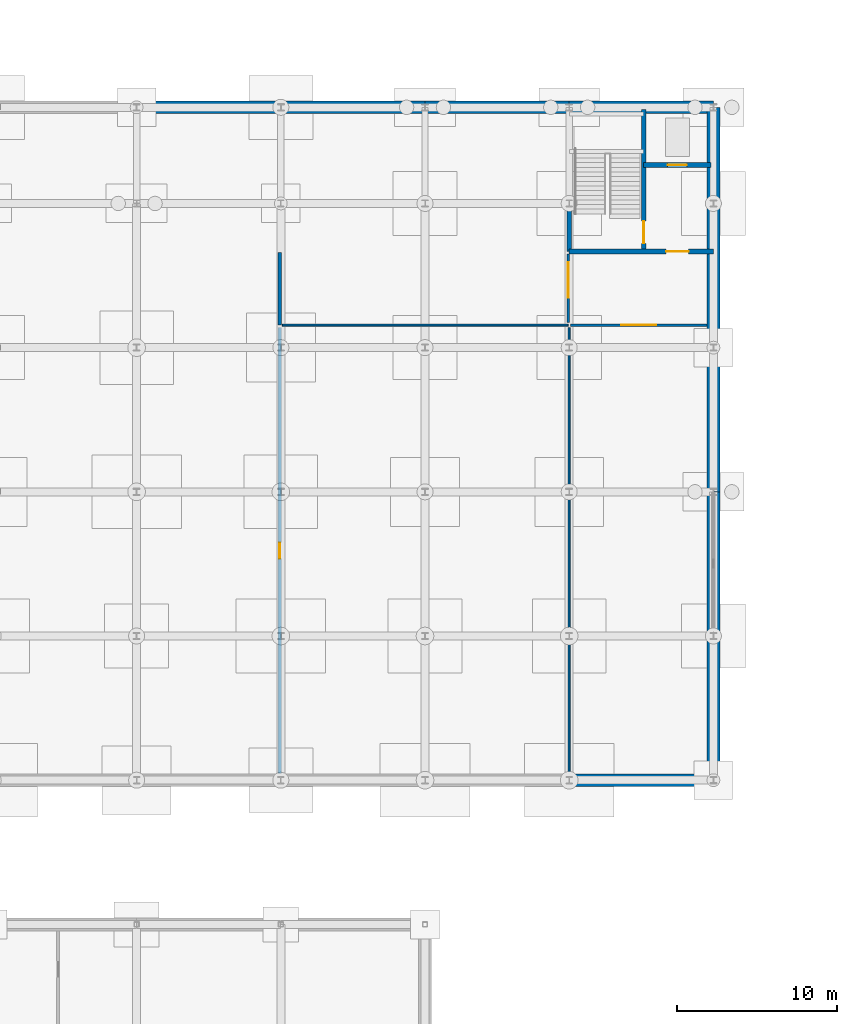
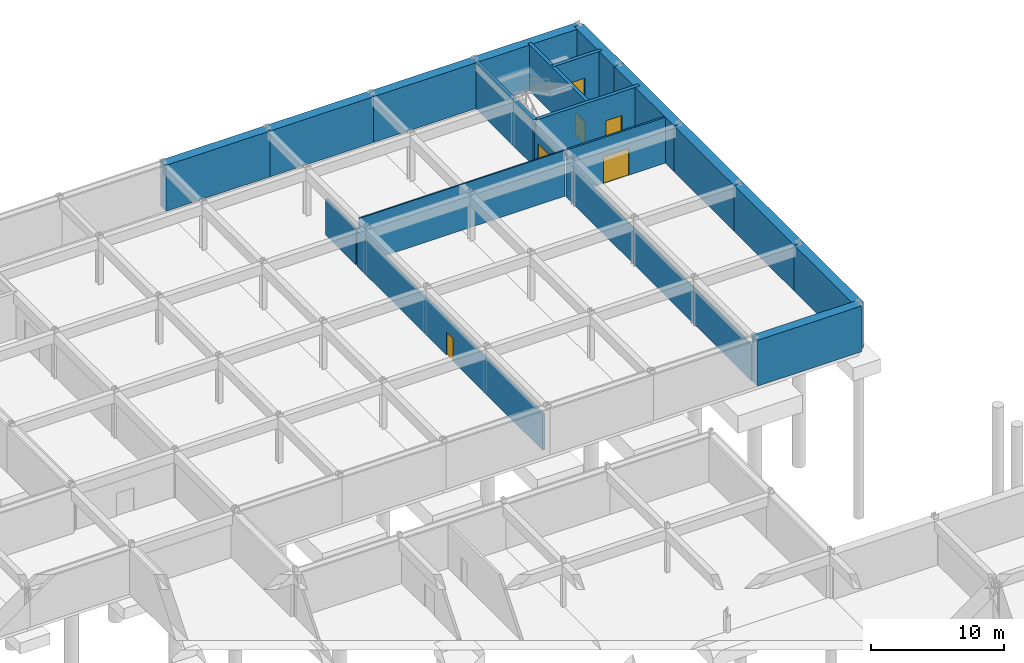
# One storey, part 31 of 41: 20 walls, 6 doors, 6 openings.
"""IFC4 building model written with IfcOpenShell, lengths in metres."""

from ifc_helpers import new_model, si_unit, direction, frame, frame_2d, origin, place, context, subcontext, project, spatial, rectangle, extrude, material, layer, layer_set, type_object, element, fill, save


model = new_model("IFC4")

# Units and contexts
model_context = context("Model", 3, precision=1e-05, world=origin(), true_north=direction((0.0, 1.0)))
body_context = subcontext(model_context, "Body", "Model", "MODEL_VIEW")
ifc_project = project(units=[si_unit("LENGTHUNIT", "METRE"), si_unit("AREAUNIT", "SQUARE_METRE"), si_unit("VOLUMEUNIT", "CUBIC_METRE"), si_unit("PLANEANGLEUNIT", "RADIAN"), si_unit("MASSUNIT", "GRAM", prefix="KILO")], contexts=[model_context])

# Site, building, storey
site_placement = place(None, origin())
site = spatial("IfcSite", under=ifc_project, at=site_placement, CompositionType="ELEMENT")
building_placement = place(site_placement, origin())
building = spatial("IfcBuilding", under=site, at=building_placement, Name="Palais des Congres Ocreval", CompositionType="ELEMENT")
storey_placement = place(building_placement, frame((0.0, 0.0, -8.9599609375)))
storey = spatial("IfcBuildingStorey", under=building, at=storey_placement, Name="B2", CompositionType="ELEMENT", Elevation=-8.9599609375)

# Wall
ifc_material_1 = material(Name="Gypsum acoustic fire board")
ifc_layer_1 = layer(ifc_material_1, 0.199951171875)
ifc_layer_set_1 = layer_set([ifc_layer_1], Name="Compartment Fire Partition 200 Gypsum (Gypsum acoustic fire board)")
wall_type_1 = type_object("IfcWallType", Name="Compartment Fire Partition 200 Gypsum", PredefinedType="PARTITIONING", material=ifc_layer_set_1)
wall_1_placement = place(storey_placement, frame((134.93505859375, 100.419921875, 0.0), z_axis=(0.0, 0.0, 1.0), x_axis=(0.0, 1.0, 0.0)))
element("IfcWall", 1, at=wall_1_placement, inside=storey, type_object=wall_type_1, Name="Interior Partition IW01 B2", PredefinedType="PARTITIONING", context=body_context, shape_type="SweptSolid", body=[
    extrude(rectangle(XDim=4.510009765625, YDim=0.199951171875, at=frame_2d((2.2548828125, 0.0))), origin(), (0.0, 0.0, 1.0), 3.300048828125),
])

# Wall, opening, door
wall_2_placement = place(storey_placement, frame((134.93505859375, 72.405029296875, 0.0), z_axis=(0.0, 0.0, 1.0), x_axis=(0.0, 1.0, 0.0)))
wall_2 = element("IfcWall", 2, at=wall_2_placement, inside=storey, type_object=wall_type_1, Name="Interior Partition IW01 B2", PredefinedType="PARTITIONING", context=body_context, shape_type="SweptSolid", body=[
    extrude(rectangle(XDim=27.849853515625, YDim=0.199951171875, at=frame_2d((13.9248046875, 0.0))), origin(), (0.0, 0.0, 1.0), 3.300048828125),
])
opening_1_placement = place(wall_2_placement, frame((13.425048828125, 0.0, 0.0)))
opening_1 = element("IfcOpeningElement", 3, at=opening_1_placement, cuts=wall_2, Name="Opening D10", PredefinedType="OPENING", context=body_context, shape_type="SweptSolid", body=[
    extrude(rectangle(XDim=1.0, YDim=2.10009765625, at=frame_2d((0.5, 1.050048828125))), frame((0.0, 0.10986328125, 0.0), z_axis=(0.0, -1.0, 0.0), x_axis=(1.0, 0.0, 0.0)), (0.0, 0.0, 1.0), 0.219970703125),
])
ifc_material_2 = material(Name="Painted steel", Category="steel")
door_type_1 = type_object("IfcDoorType", Name="Service and Pantry Door 1000x2100", OperationType="NOTDEFINED", PredefinedType="DOOR", material=ifc_material_2)
door_1_placement = place(opening_1_placement, origin())
door_1 = element("IfcDoor", 4, at=door_1_placement, inside=storey, type_object=door_type_1, Name="Interior Door D10 B2", OperationType="SINGLE_SWING_LEFT", OverallHeight=2.10009765625, OverallWidth=1.0, PredefinedType="DOOR", context=body_context, shape_type="SweptSolid", body=[
    extrude(rectangle(XDim=1.0, YDim=2.10009765625, at=frame_2d((0.5, 1.050048828125))), frame((0.0, 0.02490234375, 0.0), z_axis=(0.0, -1.0, 0.0), x_axis=(1.0, 0.0, 0.0)), (0.0, 0.0, 1.0), 0.050048828125),
])
fill(opening_1, door_1)

ifc_material_3 = material(Name="Concrete C40/50", Category="concrete")
ifc_layer_2 = layer(ifc_material_3, 0.300048828125)
ifc_layer_set_2 = layer_set([ifc_layer_2], Name="Core Shear Wall 300 Concrete C40/50")
wall_type_2 = type_object("IfcWallType", Name="Core Shear Wall 300 Concrete C40/50", PredefinedType="SHEAR", material=ifc_layer_set_2)
wall_3_placement = place(storey_placement, frame((153.0, 105.0, 0.0), z_axis=(0.0, 0.0, 1.0), x_axis=(1.0, 0.0, 0.0)))
wall_3 = element("IfcWall", 5, at=wall_3_placement, inside=storey, type_object=wall_type_2, Name="Core Shear Wall SC08 B2 S", PredefinedType="SHEAR", context=body_context, shape_type="SweptSolid", body=[
    extrude(rectangle(XDim=9.0, YDim=0.300048828125, at=frame_2d((4.5, 0.0))), origin(), (0.0, 0.0, 1.0), 4.199951171875),
])
opening_2_placement = place(wall_3_placement, frame((6.050048828125, 0.0, 0.0)))
opening_2 = element("IfcOpeningElement", 6, at=opening_2_placement, cuts=wall_3, Name="Opening D03", PredefinedType="OPENING", context=body_context, shape_type="SweptSolid", body=[
    extrude(rectangle(XDim=1.39990234375, YDim=2.02001953125, at=frame_2d((0.699951171875, 1.010009765625))), frame((0.0, 0.159912109375, 0.0), z_axis=(0.0, -1.0, 0.0), x_axis=(1.0, 0.0, 0.0)), (0.0, 0.0, 1.0), 0.320068359375),
])
ifc_material_4 = material(Name="Painted fire-rated steel", Category="steel")
door_type_2 = type_object("IfcDoorType", Name="Core Lobby Rated Door 1400x2020", OperationType="NOTDEFINED", PredefinedType="DOOR", material=ifc_material_4)
door_2_placement = place(opening_2_placement, origin())
door_2 = element("IfcDoor", 7, at=door_2_placement, inside=storey, type_object=door_type_2, Name="Lobby Entrance Door SC08 B2", OperationType="DOUBLE_DOOR_SINGLE_SWING", OverallHeight=2.02001953125, OverallWidth=1.39990234375, PredefinedType="DOOR", context=body_context, shape_type="SweptSolid", body=[
    extrude(rectangle(XDim=1.39990234375, YDim=2.02001953125, at=frame_2d((0.699951171875, 1.010009765625))), frame((0.0, 0.02490234375, 0.0), z_axis=(0.0, -1.0, 0.0), x_axis=(1.0, 0.0, 0.0)), (0.0, 0.0, 1.0), 0.050048828125),
])
fill(opening_2, door_2)

# Wall
wall_4_placement = place(storey_placement, frame((153.0, 105.0, 0.0), z_axis=(0.0, 0.0, 1.0), x_axis=(0.0, 1.0, 0.0)))
element("IfcWall", 8, at=wall_4_placement, inside=storey, type_object=wall_type_2, Name="Core Shear Wall SC08 B2 W", PredefinedType="SHEAR", context=body_context, shape_type="SweptSolid", body=[
    extrude(rectangle(XDim=9.0, YDim=0.300048828125, at=frame_2d((4.5, 0.0))), origin(), (0.0, 0.0, 1.0), 4.199951171875),
])

# Wall, opening, door
wall_5_placement = place(storey_placement, frame((157.64990234375, 105.14990234375, 0.0), z_axis=(0.0, 0.0, 1.0), x_axis=(0.0, 1.0, 0.0)))
wall_5 = element("IfcWall", 9, at=wall_5_placement, inside=storey, type_object=wall_type_2, Name="Core Spine Shear Wall SC08 B2", PredefinedType="SHEAR", context=body_context, shape_type="SweptSolid", body=[
    extrude(rectangle(XDim=8.7001953125, YDim=0.300048828125, at=frame_2d((4.35009765625, 0.0))), origin(), (0.0, 0.0, 1.0), 4.199951171875),
])
opening_3_placement = place(wall_5_placement, frame((0.35009765625, 0.0, 0.0)))
opening_3 = element("IfcOpeningElement", 10, at=opening_3_placement, cuts=wall_5, Name="Opening D03", PredefinedType="OPENING", context=body_context, shape_type="SweptSolid", body=[
    extrude(rectangle(XDim=1.39990234375, YDim=2.02001953125, at=frame_2d((0.699951171875, 1.010009765625))), frame((0.0, 0.159912109375, 0.0), z_axis=(0.0, -1.0, 0.0), x_axis=(1.0, 0.0, 0.0)), (0.0, 0.0, 1.0), 0.320068359375),
])
door_3_placement = place(opening_3_placement, origin())
door_3 = element("IfcDoor", 11, at=door_3_placement, inside=storey, type_object=door_type_2, Name="Protected Exit Stair Door ST08 B2", OperationType="SINGLE_SWING_RIGHT", OverallHeight=2.02001953125, OverallWidth=1.39990234375, PredefinedType="DOOR", context=body_context, shape_type="SweptSolid", body=[
    extrude(rectangle(XDim=1.39990234375, YDim=2.02001953125, at=frame_2d((0.699951171875, 1.010009765625))), frame((0.0, 0.02490234375, 0.0), z_axis=(0.0, -1.0, 0.0), x_axis=(1.0, 0.0, 0.0)), (0.0, 0.0, 1.0), 0.050048828125),
])
fill(opening_3, door_3)

wall_6_placement = place(storey_placement, frame((157.64990234375, 110.39990234375, 0.0), z_axis=(0.0, 0.0, 1.0), x_axis=(1.0, 0.0, 0.0)))
wall_6 = element("IfcWall", 12, at=wall_6_placement, inside=storey, type_object=wall_type_2, Name="Lift Shaft Front Wall SC08 B2", PredefinedType="SHEAR", context=body_context, shape_type="SweptSolid", body=[
    extrude(rectangle(XDim=4.2001953125, YDim=0.300048828125, at=frame_2d((2.10009765625, 0.0))), origin(), (0.0, 0.0, 1.0), 4.199951171875),
])
opening_4_placement = place(wall_6_placement, frame((1.5, 0.0, 0.0)))
opening_4 = element("IfcOpeningElement", 13, at=opening_4_placement, cuts=wall_6, Name="Opening LD02", PredefinedType="OPENING", context=body_context, shape_type="SweptSolid", body=[
    extrude(rectangle(XDim=1.199951171875, YDim=2.199951171875, at=frame_2d((0.60009765625, 1.10009765625))), frame((0.0, 0.159912109375, 0.0), z_axis=(0.0, -1.0, 0.0), x_axis=(1.0, 0.0, 0.0)), (0.0, 0.0, 1.0), 0.320068359375),
])
ifc_material_5 = material(Name="Anodized bronze steel", Category="steel")
door_type_3 = type_object("IfcDoorType", Name="Passenger and Service Lift Sliding Door 1200x2200", OperationType="NOTDEFINED", PredefinedType="DOOR", material=ifc_material_5)
door_4_placement = place(opening_4_placement, origin())
door_4 = element("IfcDoor", 14, at=door_4_placement, inside=storey, type_object=door_type_3, Name="Lift Landing Sliding Door BL3 B2", OperationType="DOUBLE_DOOR_SLIDING", OverallHeight=2.199951171875, OverallWidth=1.199951171875, PredefinedType="DOOR", context=body_context, shape_type="SweptSolid", body=[
    extrude(rectangle(XDim=1.199951171875, YDim=2.199951171875, at=frame_2d((0.60009765625, 1.10009765625))), frame((0.0, 0.02490234375, 0.0), z_axis=(0.0, -1.0, 0.0), x_axis=(1.0, 0.0, 0.0)), (0.0, 0.0, 1.0), 0.050048828125),
])
fill(opening_4, door_4)

ifc_material_6 = material(Name="Gypsum acoustic partition")
ifc_layer_3 = layer(ifc_material_6, 0.159912109375)
ifc_layer_set_3 = layer_set([ifc_layer_3], Name="Corridor Fire Partition 160 Gypsum (Gypsum acoustic partition)")
wall_type_3 = type_object("IfcWallType", Name="Corridor Fire Partition 160 Gypsum", PredefinedType="PARTITIONING", material=ifc_layer_set_3)
wall_7_placement = place(storey_placement, frame((152.93505859375, 100.56494140625, 0.0), z_axis=(0.0, 0.0, 1.0), x_axis=(0.0, 1.0, 0.0)))
wall_7 = element("IfcWall", 15, at=wall_7_placement, inside=storey, type_object=wall_type_3, Name="Interior Partition IW03 B2", PredefinedType="PARTITIONING", context=body_context, shape_type="SweptSolid", body=[
    extrude(rectangle(XDim=4.280029296875, YDim=0.159912109375, at=frame_2d((2.14013671875, 0.0))), origin(), (0.0, 0.0, 1.0), 3.300048828125),
])
opening_5_placement = place(wall_7_placement, frame((1.5537109375, 0.0, 0.0)))
opening_5 = element("IfcOpeningElement", 16, at=opening_5_placement, cuts=wall_7, Name="Opening D14", PredefinedType="OPENING", context=body_context, shape_type="SweptSolid", body=[
    extrude(rectangle(XDim=2.199951171875, YDim=2.449951171875, at=frame_2d((1.10009765625, 1.22509765625))), frame((0.0, 0.08984375, 0.0), z_axis=(0.0, -1.0, 0.0), x_axis=(1.0, 0.0, 0.0)), (0.0, 0.0, 1.0), 0.179931640625),
])
ifc_material_7 = material(Name="Acoustic oak and bronze", Category="wood")
door_type_4 = type_object("IfcDoorType", Name="Grand Ballroom Acoustic Double Door 2200x2450", OperationType="NOTDEFINED", PredefinedType="DOOR", material=ifc_material_7)
door_5_placement = place(opening_5_placement, origin())
door_5 = element("IfcDoor", 17, at=door_5_placement, inside=storey, type_object=door_type_4, Name="Interior Door D14 B2", OperationType="DOUBLE_DOOR_SINGLE_SWING", OverallHeight=2.449951171875, OverallWidth=2.199951171875, PredefinedType="DOOR", context=body_context, shape_type="SweptSolid", body=[
    extrude(rectangle(XDim=2.199951171875, YDim=2.449951171875, at=frame_2d((1.10009765625, 1.22509765625))), frame((0.0, 0.02490234375, 0.0), z_axis=(0.0, -1.0, 0.0), x_axis=(1.0, 0.0, 0.0)), (0.0, 0.0, 1.0), 0.050048828125),
])
fill(opening_5, door_5)

wall_8_placement = place(storey_placement, frame((153.090087890625, 100.409912109375, 0.0), z_axis=(0.0, 0.0, 1.0), x_axis=(1.0, 0.0, 0.0)))
wall_8 = element("IfcWall", 18, at=wall_8_placement, inside=storey, type_object=wall_type_3, Name="Interior Partition IW03 B2", PredefinedType="PARTITIONING", context=body_context, shape_type="SweptSolid", body=[
    extrude(rectangle(XDim=8.5048828125, YDim=0.159912109375, at=frame_2d((4.25244140625, 0.0))), origin(), (0.0, 0.0, 1.0), 4.199951171875),
])
opening_6_placement = place(wall_8_placement, frame((3.152587890625, 0.0, 0.0)))
opening_6 = element("IfcOpeningElement", 19, at=opening_6_placement, cuts=wall_8, Name="Opening D14", PredefinedType="OPENING", context=body_context, shape_type="SweptSolid", body=[
    extrude(rectangle(XDim=2.199951171875, YDim=2.449951171875, at=frame_2d((1.10009765625, 1.22509765625))), frame((0.0, 0.08984375, 0.0), z_axis=(0.0, -1.0, 0.0), x_axis=(1.0, 0.0, 0.0)), (0.0, 0.0, 1.0), 0.179931640625),
])
door_6_placement = place(opening_6_placement, origin())
door_6 = element("IfcDoor", 20, at=door_6_placement, inside=storey, type_object=door_type_4, Name="Interior Door D14 B2", OperationType="DOUBLE_DOOR_SINGLE_SWING", OverallHeight=2.449951171875, OverallWidth=2.199951171875, PredefinedType="DOOR", context=body_context, shape_type="SweptSolid", body=[
    extrude(rectangle(XDim=2.199951171875, YDim=2.449951171875, at=frame_2d((1.10009765625, 1.22509765625))), frame((0.0, 0.02490234375, 0.0), z_axis=(0.0, -1.0, 0.0), x_axis=(1.0, 0.0, 0.0)), (0.0, 0.0, 1.0), 0.050048828125),
])
fill(opening_6, door_6)

# Walls
ifc_material_8 = material(Name="Concrete C35/45", Category="concrete")
ifc_layer_4 = layer(ifc_material_8, 0.800048828125)
ifc_layer_set_4 = layer_set([ifc_layer_4], Name="Retaining Diaphragm Wall 800 Concrete C35/45")
wall_type_4 = type_object("IfcWallType", Name="Retaining Diaphragm Wall 800 Concrete C35/45", PredefinedType="USERDEFINED", material=ifc_layer_set_4)
for number, where, z_axis, x_axis, name in (
    (21, (126.0, 114.0, 0.0), (0.0, 0.0, 1.0), (1.0, 0.0, 0.0), "Basement Diaphragm Wall RW01 B2"),
    (22, (135.0, 114.0, 0.0), (0.0, 0.0, 1.0), (1.0, 0.0, 0.0), "Basement Diaphragm Wall RW01 B2"),
    (23, (144.0, 114.0, 0.0), (0.0, 0.0, 1.0), (1.0, 0.0, 0.0), "Basement Diaphragm Wall RW01 B2"),
    (24, (153.0, 114.0, 0.0), (0.0, 0.0, 1.0), (1.0, 0.0, 0.0), "Basement Diaphragm Wall RW01 B2"),
):
    element("IfcWall", number, at=place(storey_placement, frame(where, z_axis=z_axis, x_axis=x_axis)), inside=storey, type_object=wall_type_4, Name=name, ObjectType="RETAININGWALL", PredefinedType="USERDEFINED", context=body_context, shape_type="SweptSolid", body=[
        extrude(rectangle(XDim=9.0, YDim=0.800048828125, at=frame_2d((4.5, 0.0))), origin(), (0.0, 0.0, 1.0), 4.199951171875),
    ])
wall_9_placement = place(storey_placement, frame((162.0, 114.0, 0.0), z_axis=(0.0, 0.0, 1.0), x_axis=(0.0, -1.0, 0.0)))
element("IfcWall", 25, at=wall_9_placement, inside=storey, type_object=wall_type_4, Name="Basement Diaphragm Wall RW01 B2", ObjectType="RETAININGWALL", PredefinedType="USERDEFINED", context=body_context, shape_type="SweptSolid", body=[
    extrude(rectangle(XDim=6.0, YDim=0.800048828125, at=frame_2d((3.0, 0.0))), origin(), (0.0, 0.0, 1.0), 4.199951171875),
])
for number, where, z_axis, x_axis, name in (
    (26, (162.0, 108.0, 0.0), (0.0, 0.0, 1.0), (0.0, -1.0, 0.0), "Basement Diaphragm Wall RW01 B2"),
    (27, (162.0, 99.0, 0.0), (0.0, 0.0, 1.0), (0.0, -1.0, 0.0), "Basement Diaphragm Wall RW01 B2"),
    (28, (162.0, 90.0, 0.0), (0.0, 0.0, 1.0), (0.0, -1.0, 0.0), "Basement Diaphragm Wall RW01 B2"),
    (29, (162.0, 81.0, 0.0), (0.0, 0.0, 1.0), (0.0, -1.0, 0.0), "Basement Diaphragm Wall RW01 B2"),
    (30, (162.0, 72.0, 0.0), (0.0, 0.0, 1.0), (-1.0, 0.0, 0.0), "Basement Diaphragm Wall RW01 B2"),
):
    element("IfcWall", number, at=place(storey_placement, frame(where, z_axis=z_axis, x_axis=x_axis)), inside=storey, type_object=wall_type_4, Name=name, ObjectType="RETAININGWALL", PredefinedType="USERDEFINED", context=body_context, shape_type="SweptSolid", body=[
        extrude(rectangle(XDim=9.0, YDim=0.800048828125, at=frame_2d((4.5, 0.0))), origin(), (0.0, 0.0, 1.0), 4.199951171875),
    ])
ifc_material_9 = material(Name="Gypsum board partition")
ifc_layer_5 = layer(ifc_material_9, 0.1201171875)
ifc_layer_set_5 = layer_set([ifc_layer_5], Name="Suite Subdivision Partition 120 Gypsum (Gypsum board partition)")
wall_type_5 = type_object("IfcWallType", Name="Suite Subdivision Partition 120 Gypsum", PredefinedType="PARTITIONING", material=ifc_layer_set_5)
wall_10_placement = place(storey_placement, frame((135.090087890625, 100.409912109375, 0.0), z_axis=(0.0, 0.0, 1.0), x_axis=(1.0, 0.0, 0.0)))
element("IfcWall", 31, at=wall_10_placement, inside=storey, type_object=wall_type_5, Name="Interior Partition IW04 B2", PredefinedType="PARTITIONING", context=body_context, shape_type="SweptSolid", body=[
    extrude(rectangle(XDim=17.83984375, YDim=0.1201171875, at=frame_2d((8.919921875, 0.0))), origin(), (0.0, 0.0, 1.0), 4.199951171875),
])
wall_11_placement = place(storey_placement, frame((153.0, 72.405029296875, 0.0), z_axis=(0.0, 0.0, 1.0), x_axis=(0.0, 1.0, 0.0)))
element("IfcWall", 32, at=wall_11_placement, inside=storey, type_object=wall_type_5, Name="Interior Partition IW04 B2", PredefinedType="PARTITIONING", context=body_context, shape_type="SweptSolid", body=[
    extrude(rectangle(XDim=27.849853515625, YDim=0.1201171875, at=frame_2d((13.9248046875, 0.0))), origin(), (0.0, 0.0, 1.0), 3.300048828125),
])

save(model, "model.ifc")
